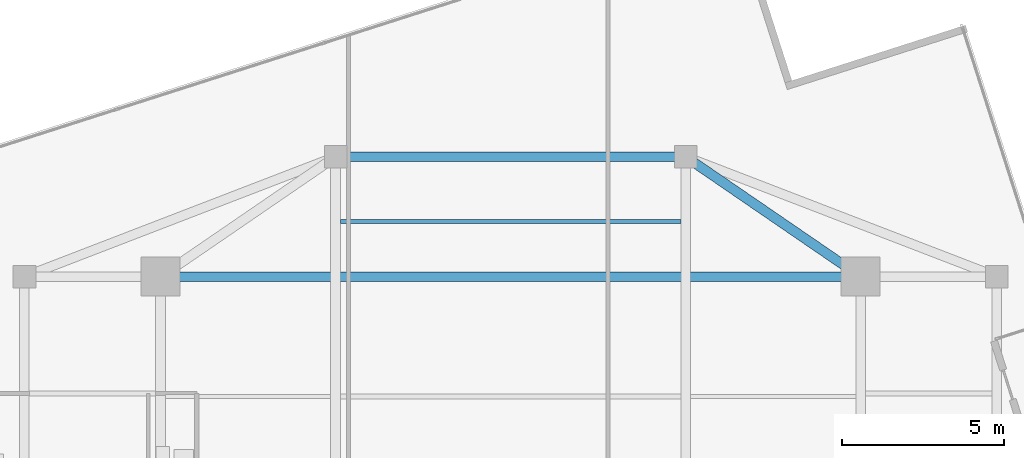
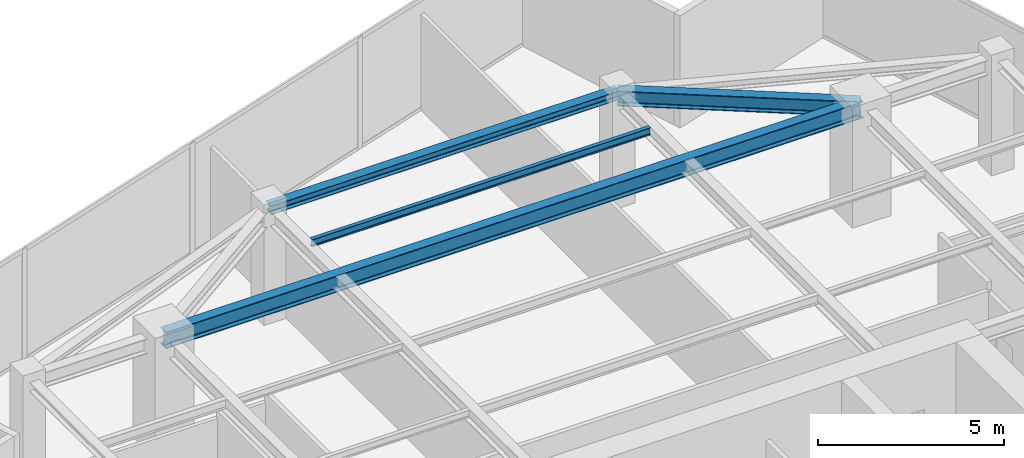
# One storey, part 14 of 21: 4 beams.
"""IFC4 building model written with IfcOpenShell, lengths in metres."""

from ifc_helpers import new_model, si_unit, direction, frame, origin, origin_2d, place, context, subcontext, project, spatial, i_section, extrude, source, transform, mapped, material, material_profile, profile_set, type_object, type_shapes, element, save


model = new_model("IFC4")

# Units and contexts
model_context = context("Model", 3, precision=1e-05, world=origin(), true_north=direction((0.0, 1.0)))
body_context = subcontext(model_context, "Body", "Model", "MODEL_VIEW")
ifc_project = project(units=[si_unit("LENGTHUNIT", "METRE"), si_unit("AREAUNIT", "SQUARE_METRE"), si_unit("VOLUMEUNIT", "CUBIC_METRE"), si_unit("PLANEANGLEUNIT", "RADIAN"), si_unit("MASSUNIT", "GRAM", prefix="KILO")], contexts=[model_context])

# Site, building, storey
site_placement = place(None, origin())
site = spatial("IfcSite", under=ifc_project, at=site_placement, CompositionType="ELEMENT")
building_placement = place(site_placement, origin())
building = spatial("IfcBuilding", under=site, at=building_placement, Name="Krantzveldt Concourse Tower", CompositionType="ELEMENT")
storey_placement = place(building_placement, frame((0.0, 0.0, 339.550048828125)))
storey = spatial("IfcBuildingStorey", under=building, at=storey_placement, Name="L83", CompositionType="ELEMENT", Elevation=339.550048828125)

# Beams
ifc_material = material(Name="Steel S355JR", Category="steel")
ifc_material_profile_1 = material_profile(ifc_material, i_section(OverallWidth=0.300048828125, OverallDepth=0.489990234375, WebThickness=0.011962890625, FlangeThickness=0.02294921875, FilletRadius=0.027099609375, at=origin_2d()), Name="Steel S355JR", Category="steel")
ifc_profile_set_1 = profile_set([ifc_material_profile_1], Name="Steel S355JR - HEA 500")
beam_type_1 = type_object("IfcBeamType", Name="BM-B-HEA500", PredefinedType="BEAM", material=ifc_profile_set_1)
shared_shape_1 = source(origin(), body_context, "Body", "SweptSolid", [
    extrude(i_section(OverallWidth=0.300048828125, OverallDepth=0.489990234375, WebThickness=0.011962890625, FlangeThickness=0.02294921875, FilletRadius=0.027099609375, at=origin_2d()), origin(), (0.0, 0.0, 1.0), 6.546142578125),
])
type_shapes(beam_type_1, [shared_shape_1])
beam_1_placement = place(storey_placement, frame((46.800048828125, 37.5, 3.425048828125), z_axis=(-0.824942999484, 0.565215930068, 0.0), x_axis=(-0.565215930068, -0.824942999484, 0.0)))
element("IfcBeam", 1, at=beam_1_placement, inside=storey, type_object=beam_type_1, Name="L83 Tower Girder BR-RR4", PredefinedType="BEAM", context=body_context, shape_type="MappedRepresentation", body=[
    mapped(shared_shape_1, transform((0.0, 0.0, 0.0), x_axis=(1.0, 0.0, 0.0), y_axis=(0.0, 1.0, 0.0), z_axis=(0.0, 0.0, 1.0), scale=1.0)),
])
ifc_material_profile_2 = material_profile(ifc_material, i_section(OverallWidth=0.300048828125, OverallDepth=0.5400390625, WebThickness=0.012451171875, FlangeThickness=0.02392578125, FilletRadius=0.027099609375, at=origin_2d()), Name="Steel S355JR", Category="steel")
ifc_profile_set_2 = profile_set([ifc_material_profile_2], Name="Steel S355JR - HEA 550")
beam_type_2 = type_object("IfcBeamType", Name="BM-B-HEA550", PredefinedType="BEAM", material=ifc_profile_set_2)
shared_shape_2 = source(origin(), body_context, "Body", "SweptSolid", [
    extrude(i_section(OverallWidth=0.300048828125, OverallDepth=0.5400390625, WebThickness=0.012451171875, FlangeThickness=0.02392578125, FilletRadius=0.027099609375, at=origin_2d()), origin(), (0.0, 0.0, 1.0), 21.60009765625),
])
type_shapes(beam_type_2, [shared_shape_2])
beam_2_placement = place(storey_placement, frame((25.199951171875, 37.5, 3.39990234375), z_axis=(1.0, 0.0, 0.0), x_axis=(0.0, 1.0, 0.0)))
element("IfcBeam", 2, at=beam_2_placement, inside=storey, type_object=beam_type_2, Name="L83 Tower Girder BG-MN", PredefinedType="BEAM", context=body_context, shape_type="MappedRepresentation", body=[
    mapped(shared_shape_2, transform((0.0, 0.0, 0.0), x_axis=(1.0, 0.0, 0.0), y_axis=(0.0, 1.0, 0.0), z_axis=(0.0, 0.0, 1.0), scale=1.0)),
])
ifc_material_profile_3 = material_profile(ifc_material, i_section(OverallWidth=0.2900390625, OverallDepth=0.2900390625, WebThickness=0.008544921875, FlangeThickness=0.013916015625, FilletRadius=0.027099609375, at=origin_2d()), Name="Steel S355JR", Category="steel")
ifc_profile_set_3 = profile_set([ifc_material_profile_3], Name="Steel S355JR - HEA 300")
beam_type_3 = type_object("IfcBeamType", Name="BM-SP-HEA300", PredefinedType="SPANDREL", material=ifc_profile_set_3)
shared_shape_3 = source(origin(), body_context, "Body", "SweptSolid", [
    extrude(i_section(OverallWidth=0.2900390625, OverallDepth=0.2900390625, WebThickness=0.008544921875, FlangeThickness=0.013916015625, FilletRadius=0.027099609375, at=origin_2d()), origin(), (0.0, 0.0, 1.0), 10.7998046875),
])
type_shapes(beam_type_3, [shared_shape_3])
beam_3_placement = place(storey_placement, frame((30.60009765625, 41.199951171875, 3.52490234375), z_axis=(1.0, 0.0, 0.0), x_axis=(0.0, 1.0, 0.0)))
element("IfcBeam", 3, at=beam_3_placement, inside=storey, type_object=beam_type_3, Name="L83 Tower Girder SP-R04", PredefinedType="SPANDREL", context=body_context, shape_type="MappedRepresentation", body=[
    mapped(shared_shape_3, transform((0.0, 0.0, 0.0), x_axis=(1.0, 0.0, 0.0), y_axis=(0.0, 1.0, 0.0), z_axis=(0.0, 0.0, 1.0), scale=1.0)),
])
ifc_material_profile_4 = material_profile(ifc_material, i_section(OverallWidth=0.1201171875, OverallDepth=0.239990234375, WebThickness=0.006103515625, FlangeThickness=0.009765625, FilletRadius=0.014892578125, at=origin_2d()), Name="Steel S355JR", Category="steel")
ifc_profile_set_4 = profile_set([ifc_material_profile_4], Name="Steel S355JR - IPE 240")
beam_type_4 = type_object("IfcBeamType", Name="BM-LN-IPE240", PredefinedType="LINTEL", material=ifc_profile_set_4)
shared_shape_4 = source(origin(), body_context, "Body", "SweptSolid", [
    extrude(i_section(OverallWidth=0.1201171875, OverallDepth=0.239990234375, WebThickness=0.006103515625, FlangeThickness=0.009765625, FilletRadius=0.014892578125, at=origin_2d()), origin(), (0.0, 0.0, 1.0), 10.5),
])
type_shapes(beam_type_4, [shared_shape_4])
beam_4_placement = place(storey_placement, frame((30.75, 39.199951171875, 3.550048828125), z_axis=(1.0, 0.0, 0.0), x_axis=(0.0, 1.0, 0.0)))
element("IfcBeam", 4, at=beam_4_placement, inside=storey, type_object=beam_type_4, Name="L83 Secondary Floor Joist JN-C3", PredefinedType="LINTEL", context=body_context, shape_type="MappedRepresentation", body=[
    mapped(shared_shape_4, transform((0.0, 0.0, 0.0), x_axis=(1.0, 0.0, 0.0), y_axis=(0.0, 1.0, 0.0), z_axis=(0.0, 0.0, 1.0), scale=1.0)),
])

save(model, "model.ifc")
